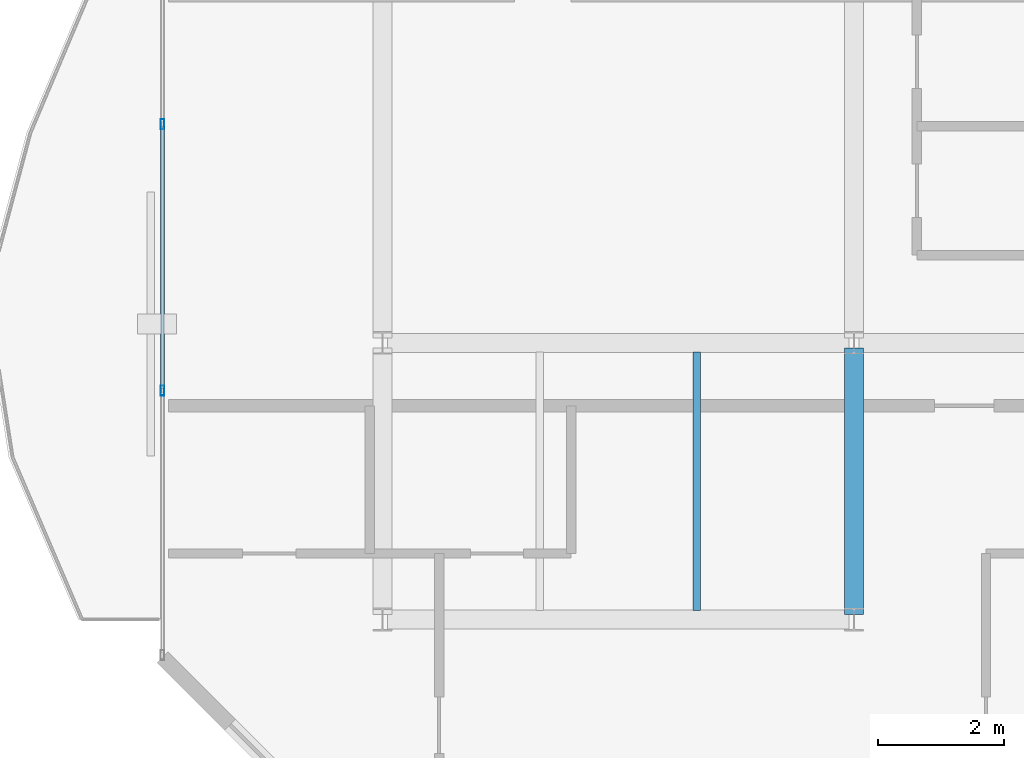
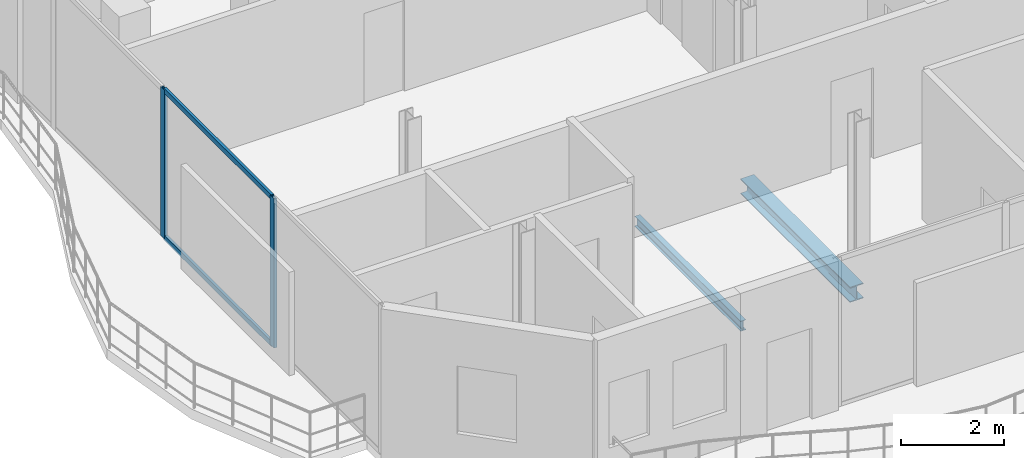
# One storey, part 5 of 22: 4 members, 2 beams, 1 element without a shape of its own.
"""IFC4 building model written with IfcOpenShell, lengths in metres."""

from ifc_helpers import new_model, si_unit, direction, frame, origin, origin_2d, place, context, subcontext, project, spatial, hollow_rectangle, i_section, extrude, material, layer, layer_set, material_profile, profile_set, type_object, element, aggregate, save


model = new_model("IFC4")

# Units and contexts
model_context = context("Model", 3, precision=1e-05, world=origin(), true_north=direction((0.0, 1.0)))
body_context = subcontext(model_context, "Body", "Model", "MODEL_VIEW")
ifc_project = project(units=[si_unit("LENGTHUNIT", "METRE"), si_unit("AREAUNIT", "SQUARE_METRE"), si_unit("VOLUMEUNIT", "CUBIC_METRE"), si_unit("PLANEANGLEUNIT", "RADIAN"), si_unit("MASSUNIT", "GRAM", prefix="KILO")], contexts=[model_context])

# Site, building, storey
site_placement = place(None, origin())
site = spatial("IfcSite", under=ifc_project, at=site_placement, CompositionType="ELEMENT")
building_placement = place(site_placement, origin())
building = spatial("IfcBuilding", under=site, at=building_placement, Name="Catumbela Crestline Tower", CompositionType="ELEMENT")
storey_placement = place(building_placement, frame((0.0, 0.0, 256.4)))
storey = spatial("IfcBuildingStorey", under=building, at=storey_placement, Name="L66", CompositionType="ELEMENT", Elevation=256.4)

# Beams
ifc_material_1 = material(Name="Structural steel S355J2", Category="steel")
ifc_material_profile_1 = material_profile(ifc_material_1, i_section(OverallWidth=0.3, OverallDepth=0.36, WebThickness=0.0125, FlangeThickness=0.0225, FilletRadius=0.027, at=origin_2d()), Name="HEB 360")
ifc_profile_set_1 = profile_set([ifc_material_profile_1], Name="Structural steel S355J2")
beam_type_1 = type_object("IfcBeamType", Name="BG-HEB360", PredefinedType="BEAM", material=ifc_profile_set_1)
beam_1_placement = place(storey_placement, frame((16.0, 13.68, -0.44), z_axis=(0.0, 1.0, 0.0), x_axis=(-1.0, 0.0, 0.0)))
element("IfcBeam", 1, at=beam_1_placement, inside=storey, type_object=beam_type_1, Name="L66 Beam BM-L66-WNS32", PredefinedType="BEAM", context=body_context, shape_type="SweptSolid", body=[
    extrude(i_section(OverallWidth=0.3, OverallDepth=0.36, WebThickness=0.0125, FlangeThickness=0.0225, FilletRadius=0.027, at=origin_2d()), origin(), (0.0, 0.0, 1.0), 4.24),
])
ifc_material_profile_2 = material_profile(ifc_material_1, i_section(OverallWidth=0.12, OverallDepth=0.24, WebThickness=0.0062, FlangeThickness=0.0098, FilletRadius=0.015, at=origin_2d()), Name="IPE 240")
ifc_profile_set_2 = profile_set([ifc_material_profile_2], Name="Structural steel S355J2")
beam_type_2 = type_object("IfcBeamType", Name="BJ-IPE240", PredefinedType="JOIST", material=ifc_profile_set_2)
beam_2_placement = place(storey_placement, frame((13.5, 13.747, -0.38), z_axis=(0.0, 1.0, 0.0), x_axis=(-1.0, 0.0, 0.0)))
element("IfcBeam", 2, at=beam_2_placement, inside=storey, type_object=beam_type_2, Name="L66 Joist JS-L66-WG35", PredefinedType="JOIST", context=body_context, shape_type="SweptSolid", body=[
    extrude(i_section(OverallWidth=0.12, OverallDepth=0.24, WebThickness=0.0062, FlangeThickness=0.0098, FilletRadius=0.015, at=origin_2d()), origin(), (0.0, 0.0, 1.0), 4.106),
])

# Curtain wall, members
ifc_material_2 = material(Name="Aluminium alloy AW-6060-T66", Category="aluminium")
ifc_layer = layer(ifc_material_2, 0.18, Name="Aluminium alloy AW-6060-T66")
ifc_layer_set = layer_set([ifc_layer], Name="Aluminium alloy AW-6060-T66")
curtain_wall_type = type_object("IfcCurtainWallType", Name="CWU-Z4", PredefinedType="USERDEFINED", material=ifc_layer_set)
curtain_wall_placement = place(storey_placement, origin())
curtain_wall = element("IfcCurtainWall", 3, at=curtain_wall_placement, inside=storey, type_object=curtain_wall_type, Name="L66 Unitised Curtain Wall CW-L66-E9S2", ObjectType="UNITISED", PredefinedType="USERDEFINED")
ifc_material_profile_3 = material_profile(ifc_material_2, hollow_rectangle(XDim=0.06, YDim=0.16, WallThickness=0.004, at=origin_2d()), Name="ALU 160x60x4")
ifc_profile_set_3 = profile_set([ifc_material_profile_3], Name="Aluminium alloy AW-6060-T66")
member_type_1 = type_object("IfcMemberType", Name="MUL-160X60", PredefinedType="MULLION", material=ifc_profile_set_3)
member_1_placement = place(storey_placement, frame((5.0, 21.48, 0.0), z_axis=(0.0, 0.0, 1.0), x_axis=(1.0, 0.0, 0.0)))
member_1 = element("IfcMember", 4, at=member_1_placement, type_object=member_type_1, Name="CWU-Z4 mullion 4", PredefinedType="MULLION", context=body_context, shape_type="SweptSolid", body=[
    extrude(hollow_rectangle(XDim=0.06, YDim=0.16, WallThickness=0.004, at=origin_2d()), origin(), (0.0, 0.0, 1.0), 3.53),
])
member_2_placement = place(storey_placement, frame((5.0, 17.24, 0.0), z_axis=(0.0, 0.0, 1.0), x_axis=(1.0, 0.0, 0.0)))
member_2 = element("IfcMember", 5, at=member_2_placement, type_object=member_type_1, Name="CWU-Z4 mullion 5", PredefinedType="MULLION", context=body_context, shape_type="SweptSolid", body=[
    extrude(hollow_rectangle(XDim=0.06, YDim=0.16, WallThickness=0.004, at=origin_2d()), origin(), (0.0, 0.0, 1.0), 3.53),
])
ifc_material_profile_4 = material_profile(ifc_material_2, hollow_rectangle(XDim=0.06, YDim=0.12, WallThickness=0.0035, at=origin_2d()), Name="ALU 120x60x3.5")
ifc_profile_set_4 = profile_set([ifc_material_profile_4], Name="Aluminium alloy AW-6060-T66")
member_type_2 = type_object("IfcMemberType", Name="TRN-120X60", PredefinedType="USERDEFINED", material=ifc_profile_set_4)
member_3_placement = place(storey_placement, frame((5.0, 21.4475, 0.03), z_axis=(0.0, -1.0, 0.0), x_axis=(1.0, 0.0, 0.0)))
member_3 = element("IfcMember", 6, at=member_3_placement, type_object=member_type_2, Name="CWU-Z4 transom 4.1", ObjectType="TRANSOM", PredefinedType="USERDEFINED", context=body_context, shape_type="SweptSolid", body=[
    extrude(hollow_rectangle(XDim=0.06, YDim=0.12, WallThickness=0.0035, at=origin_2d()), origin(), (0.0, 0.0, 1.0), 4.175),
])
member_4_placement = place(storey_placement, frame((5.0, 21.4475, 3.5), z_axis=(0.0, -1.0, 0.0), x_axis=(1.0, 0.0, 0.0)))
member_4 = element("IfcMember", 7, at=member_4_placement, type_object=member_type_2, Name="CWU-Z4 transom 4.2", ObjectType="TRANSOM", PredefinedType="USERDEFINED", context=body_context, shape_type="SweptSolid", body=[
    extrude(hollow_rectangle(XDim=0.06, YDim=0.12, WallThickness=0.0035, at=origin_2d()), origin(), (0.0, 0.0, 1.0), 4.175),
])
aggregate(curtain_wall, [member_1, member_2, member_3, member_4])

save(model, "model.ifc")
